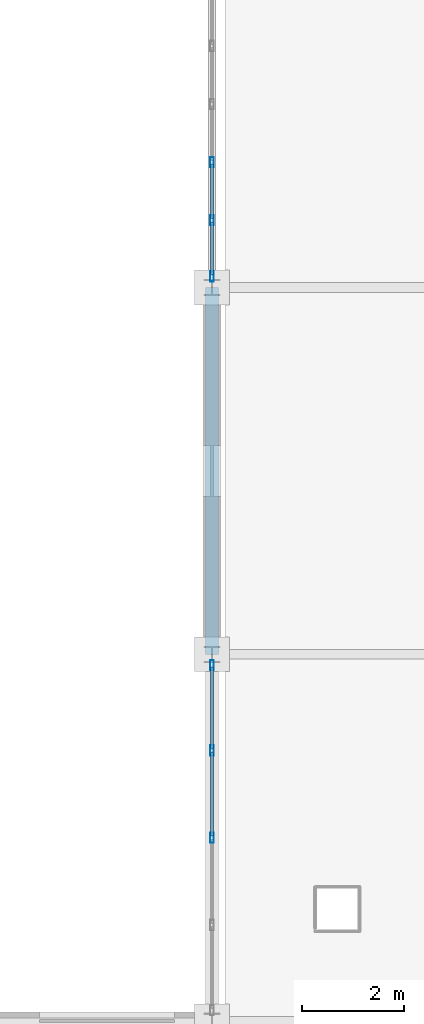
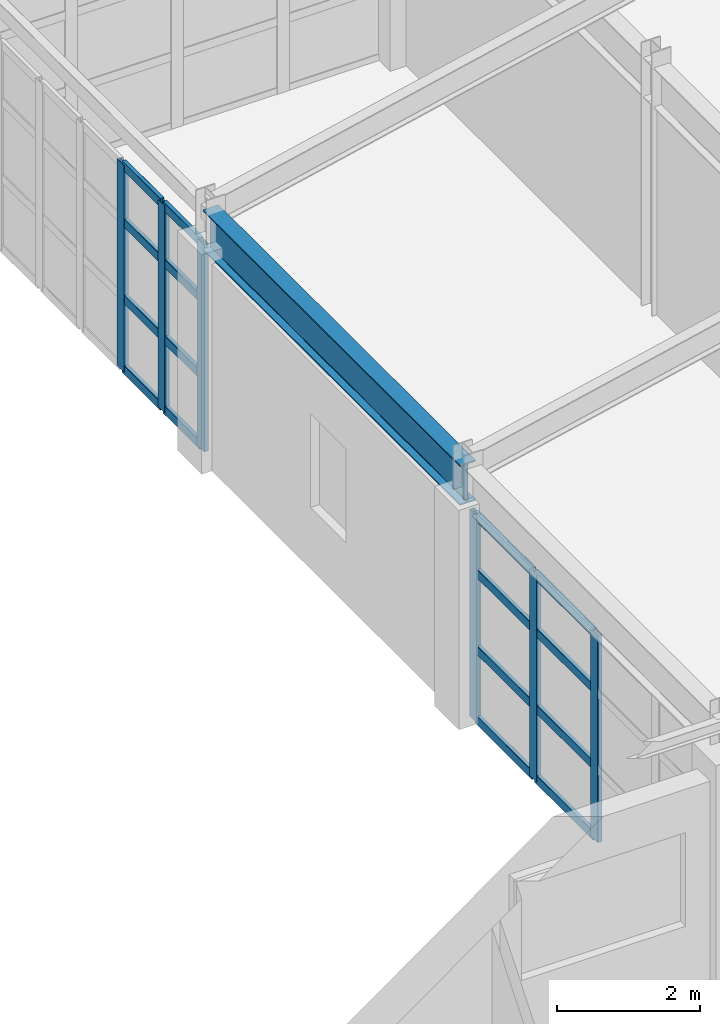
# One storey, part 81 of 137: 22 members, 1 beam, 2 elements without a shape of their own.
"""IFC4 building model written with IfcOpenShell, lengths in metres."""

import ifcopenshell
import ifcopenshell.guid

model = None  # the IFC model being written
_history = None  # IfcOwnerHistory: only IFC2X3 demands one
_inside = {}  # id of a spatial element -> (the spatial element, [elements in it])
_under = {}  # id of a project, library or spatial element -> (it, [spatial elements below it])
_declared = {}  # id of a project -> (the project, [libraries it declares])
_typed = {}  # id of a type object -> (the type object, [elements of that type])
_made_of = {}  # id of a material, layer set ... -> (it, [elements and type objects made of it])


def new_model(schema):
    """Start an empty IFC model of exactly this schema.

    Asked for "IFC4X3", IfcOpenShell would pick the latest addendum, in which some entities
    have other attributes; the version numbers below select the first issue.
    IFC2X3 requires an IfcOwnerHistory on every rooted entity: one is made here for all.
    """
    global model, _history
    if schema == "IFC4X3":
        model = ifcopenshell.file(schema_version=(4, 3, 0, 0))
    else:
        model = ifcopenshell.file(schema=schema)
    _inside.clear()
    _under.clear()
    _declared.clear()
    _typed.clear()
    _made_of.clear()
    _history = None
    if model.schema == "IFC2X3":
        org = make("IfcOrganization", Name="unknown")
        user = make(
            "IfcPersonAndOrganization",
            ThePerson=make("IfcPerson", FamilyName="unknown"),
            TheOrganization=org,
        )
        app = make(
            "IfcApplication",
            ApplicationDeveloper=org,
            Version="unknown",
            ApplicationFullName="unknown",
            ApplicationIdentifier="unknown",
        )
        _history = make(
            "IfcOwnerHistory",
            OwningUser=user,
            OwningApplication=app,
            ChangeAction="ADDED",
            CreationDate=0,
        )
    return model


def make(cls, **values):
    """One entity of the class cls with the attributes given. An attribute that is None is left unset."""
    return model.create_entity(
        cls, **{name: value for name, value in values.items() if value is not None}
    )


def rooted(cls, **values):
    """An entity with a GlobalId (a new one), such as an element, a storey or a relation."""
    return make(cls, GlobalId=ifcopenshell.guid.new(), OwnerHistory=_history, **values)


def si_unit(unit_type, name, prefix=None):
    """IfcSIUnit, for example si_unit("LENGTHUNIT", "METRE", prefix="MILLI")."""
    return make("IfcSIUnit", UnitType=unit_type, Prefix=prefix, Name=name)


def assignment(units):
    """IfcUnitAssignment: the units of a project."""
    return None if units is None else make("IfcUnitAssignment", Units=units)


def point(xyz):
    """IfcCartesianPoint."""
    return None if xyz is None else make("IfcCartesianPoint", Coordinates=xyz)


def direction(xyz):
    """IfcDirection."""
    return None if xyz is None else make("IfcDirection", DirectionRatios=xyz)


def frame(location, z_axis=None, x_axis=None):
    """IfcAxis2Placement3D, a coordinate frame: its origin and axes. An axis left out is left unset."""
    return make(
        "IfcAxis2Placement3D",
        Location=point(location),
        Axis=direction(z_axis),
        RefDirection=direction(x_axis),
    )


def frame_2d(location, x_axis=None):
    """IfcAxis2Placement2D, a coordinate frame in the plane: its origin and x axis."""
    return make(
        "IfcAxis2Placement2D", Location=point(location), RefDirection=direction(x_axis)
    )


def origin():
    """The frame at (0, 0, 0) with its axes left unset."""
    return frame((0.0, 0.0, 0.0))


def origin_2d():
    """The frame at (0, 0) in the plane with its x axis left unset."""
    return frame_2d((0.0, 0.0))


def place(relative_to, where):
    """IfcLocalPlacement: puts the frame where relative to a parent placement (None: the world)."""
    return make(
        "IfcLocalPlacement", PlacementRelTo=relative_to, RelativePlacement=where
    )


def context(
    kind, dimensions, precision=None, world=None, true_north=None, identifier=None
):
    """IfcGeometricRepresentationContext, for example the 3D "Model" context."""
    return make(
        "IfcGeometricRepresentationContext",
        ContextIdentifier=identifier,
        ContextType=kind,
        CoordinateSpaceDimension=dimensions,
        Precision=precision,
        WorldCoordinateSystem=world,
        TrueNorth=true_north,
    )


def subcontext(parent, identifier, kind, view, scale=None):
    """IfcGeometricRepresentationSubContext, for example "Body" below "Model"."""
    return make(
        "IfcGeometricRepresentationSubContext",
        ContextIdentifier=identifier,
        ContextType=kind,
        ParentContext=parent,
        TargetScale=scale,
        TargetView=view,
    )


def project(units=None, contexts=None):
    """IfcProject with its units and contexts."""
    return rooted(
        "IfcProject",
        Name="project",
        RepresentationContexts=contexts,
        UnitsInContext=assignment(units),
    )


def spatial(cls, under=None, at=None, **own):
    """A site, building, storey or space (cls), placed at a placement, below another one or the project."""
    s = rooted(cls, ObjectPlacement=at, **own)
    if under is not None:
        _under.setdefault(under.id(), (under, []))[1].append(s)
    return s


def profile(cls, at=None, kind="AREA", **sizes):
    """A parametric profile (cls). Its sizes go by their IFC names, for example OverallWidth=200.0."""
    return make(cls, ProfileType=kind, Position=at, **sizes)


def hollow_rectangle(**sizes):
    """IfcRectangleHollowProfileDef."""
    return profile("IfcRectangleHollowProfileDef", **sizes)


def i_section(**sizes):
    """IfcIShapeProfileDef."""
    return profile("IfcIShapeProfileDef", **sizes)


def extrude(swept, where, along, depth):
    """IfcExtrudedAreaSolid: the profile swept, set in the frame where, extruded along a direction by depth."""
    return make(
        "IfcExtrudedAreaSolid",
        SweptArea=swept,
        Position=where,
        ExtrudedDirection=direction(along),
        Depth=depth,
    )


def shape(context_of_items, identifier, shape_type, items):
    """IfcShapeRepresentation: the items that make up one representation, for example the "Body"."""
    return make(
        "IfcShapeRepresentation",
        ContextOfItems=context_of_items,
        RepresentationIdentifier=identifier,
        RepresentationType=shape_type,
        Items=items,
    )


def material(Name=None, Category=None):
    """IfcMaterial."""
    return make("IfcMaterial", Name=Name, Category=Category)


def layer(
    of_material, thickness, ventilated=None, Name=None, Category=None, Priority=None
):
    """IfcMaterialLayer: one layer of a wall or slab, of a material (None: an air gap)."""
    return make(
        "IfcMaterialLayer",
        Material=of_material,
        LayerThickness=thickness,
        IsVentilated=ventilated,
        Name=Name,
        Category=Category,
        Priority=Priority,
    )


def layer_set(layers, Name=None):
    """IfcMaterialLayerSet."""
    return make("IfcMaterialLayerSet", MaterialLayers=layers, LayerSetName=Name)


def material_profile(
    of_material, cross_section, Name=None, Category=None, Priority=None
):
    """IfcMaterialProfile: a cross section and its material."""
    return make(
        "IfcMaterialProfile",
        Name=Name,
        Material=of_material,
        Profile=cross_section,
        Priority=Priority,
        Category=Category,
    )


def profile_set(profiles, Name=None, composite=None):
    """IfcMaterialProfileSet."""
    return make(
        "IfcMaterialProfileSet",
        Name=Name,
        MaterialProfiles=profiles,
        CompositeProfile=composite,
    )


def made_of(thing, what):
    """Note that an element or type object is made of a material, layer set ...; save() writes the relation."""
    if what is not None:
        _made_of.setdefault(what.id(), (what, []))[1].append(thing)
    return thing


def type_object(cls, material=None, **own):
    """A type object (cls), such as IfcWallType, which elements share."""
    return made_of(rooted(cls, **own), material)


def element(
    cls,
    number,
    at=None,
    inside=None,
    cuts=None,
    type_object=None,
    material=None,
    context=None,
    identifier="Body",
    shape_type=None,
    held_by="IfcProductDefinitionShape",
    body=None,
    shapes=None,
    **own,
):
    """One element of the class cls, such as IfcWall. Its Tag is "e" and its number.

    at: its placement. inside: the storey or other place that contains it. cuts: it is an
    opening in that element (IfcRelVoidsElement). A single representation is given by context,
    identifier, shape_type and body (its items); several are given by shapes. held_by: the class
    of the entity that holds the representations. save() writes the other relations.
    """
    e = rooted(cls, Tag="e%d" % number, ObjectPlacement=at, **own)
    if body is not None:
        shapes = [shape(context, identifier, shape_type, body)]
    if shapes is not None:
        e.Representation = make(held_by, Representations=shapes)
    if inside is not None:
        _inside.setdefault(inside.id(), (inside, []))[1].append(e)
    if cuts is not None:
        rooted(
            "IfcRelVoidsElement", RelatingBuildingElement=cuts, RelatedOpeningElement=e
        )
    if type_object is not None:
        _typed.setdefault(type_object.id(), (type_object, []))[1].append(e)
    return made_of(e, material)


def aggregate(whole, parts):
    """IfcRelAggregates: a whole, such as a stair, and the parts it consists of."""
    return rooted("IfcRelAggregates", RelatingObject=whole, RelatedObjects=parts)


def save(model, path):
    """Write the relations noted so far, then the file.

    IfcRelAggregates (storeys below a building ...), IfcRelContainedInSpatialStructure (elements
    in a storey), IfcRelDefinesByType, IfcRelAssociatesMaterial and IfcRelDeclares: one each for
    every whole, place, type object, material and project.
    """
    for whole, parts in _under.values():
        aggregate(whole, parts)
    for where, things in _inside.values():
        rooted(
            "IfcRelContainedInSpatialStructure",
            RelatedElements=things,
            RelatingStructure=where,
        )
    for kind, things in _typed.values():
        rooted("IfcRelDefinesByType", RelatedObjects=things, RelatingType=kind)
    for what, things in _made_of.values():
        rooted("IfcRelAssociatesMaterial", RelatedObjects=things, RelatingMaterial=what)
    for by, libraries in _declared.values():
        rooted("IfcRelDeclares", RelatingContext=by, RelatedDefinitions=libraries)
    model.write(path)


model = new_model("IFC4")

# Units and contexts
model_context = context("Model", 3, precision=1e-05, world=origin(), true_north=direction((0.0, 1.0)))
body_context = subcontext(model_context, "Body", "Model", "MODEL_VIEW")
ifc_project = project(units=[si_unit("LENGTHUNIT", "METRE"), si_unit("AREAUNIT", "SQUARE_METRE"), si_unit("VOLUMEUNIT", "CUBIC_METRE"), si_unit("PLANEANGLEUNIT", "RADIAN"), si_unit("MASSUNIT", "GRAM", prefix="KILO")], contexts=[model_context])

# Site, building, storey
site_placement = place(None, origin())
site = spatial("IfcSite", under=ifc_project, at=site_placement, CompositionType="ELEMENT")
building_placement = place(site_placement, origin())
building = spatial("IfcBuilding", under=site, at=building_placement, Name="Kemerveld Promenade Tramway Depot", CompositionType="ELEMENT")
storey_placement = place(building_placement, frame((0.0, 0.0, 5.39990234375)))
storey = spatial("IfcBuildingStorey", under=building, at=storey_placement, Name="L01", CompositionType="ELEMENT", Elevation=5.39990234375)

# Beam
ifc_material_1 = material(Name="Steel S355", Category="steel")
ifc_material_profile_1 = material_profile(ifc_material_1, i_section(OverallWidth=0.25439453125, OverallDepth=0.6875, WebThickness=0.01318359375, FlangeThickness=0.02099609375, FilletRadius=0.01513671875, at=origin_2d()), Name="686x254x152 UB")
ifc_profile_set_1 = profile_set([ifc_material_profile_1], Name="Steel S355")
beam_type = type_object("IfcBeamType", Name="BM-G03", PredefinedType="BEAM", material=ifc_profile_set_1)
beam_placement = place(storey_placement, frame((158.39990234375, 36.0, 3.896484375), z_axis=(0.0, 1.0, 0.0), x_axis=(-1.0, 0.0, 0.0)))
element("IfcBeam", 1, at=beam_placement, inside=storey, type_object=beam_type, Name="BMY-L01-23-F-G", PredefinedType="BEAM", context=body_context, shape_type="SweptSolid", body=[
    extrude(i_section(OverallWidth=0.25439453125, OverallDepth=0.6875, WebThickness=0.01318359375, FlangeThickness=0.02099609375, FilletRadius=0.01513671875, at=origin_2d()), origin(), (0.0, 0.0, 1.0), 7.199951171875),
])

# Curtain wall, members
ifc_material_2 = material(Name="Bronze anodised aluminium and solar glass", Category="aluminium")
ifc_layer_1 = layer(ifc_material_2, 0.199951171875)
ifc_layer_set_1 = layer_set([ifc_layer_1], Name="CW-SYS-04")
curtain_wall_type_1 = type_object("IfcCurtainWallType", Name="CW-SYS-04", PredefinedType="USERDEFINED", material=ifc_layer_set_1)
curtain_wall_1_placement = place(storey_placement, origin())
curtain_wall_1 = element("IfcCurtainWall", 2, at=curtain_wall_1_placement, inside=storey, type_object=curtain_wall_type_1, Name="CW-L01-V2W-01", ObjectType="GLAZED_CURTAIN_WALL", PredefinedType="USERDEFINED")
ifc_material_3 = material(Name="Bronze anodised aluminium", Category="aluminium")
ifc_material_profile_2 = material_profile(ifc_material_3, hollow_rectangle(XDim=0.074951171875, YDim=0.199951171875, WallThickness=0.0048828125, InnerFilletRadius=0.001953125, OuterFilletRadius=0.0048828125, at=origin_2d()), Name="CW-MUL-200x75")
ifc_profile_set_2 = profile_set([ifc_material_profile_2], Name="Bronze anodised aluminium")
member_type_1 = type_object("IfcMemberType", Name="CW-MUL-B", PredefinedType="MULLION", material=ifc_profile_set_2)
member_1_placement = place(storey_placement, frame((158.39990234375, 32.39990234375, 0.0), z_axis=(0.0, 0.0, 1.0), x_axis=(-1.0, 0.0, 0.0)))
member_1 = element("IfcMember", 3, at=member_1_placement, type_object=member_type_1, Name="CW04 mullion 3", PredefinedType="MULLION", context=body_context, shape_type="SweptSolid", body=[
    extrude(hollow_rectangle(XDim=0.074951171875, YDim=0.199951171875, WallThickness=0.0048828125, InnerFilletRadius=0.001953125, OuterFilletRadius=0.0048828125, at=origin_2d()), origin(), (0.0, 0.0, 1.0), 3.53271484375),
])
member_2_placement = place(storey_placement, frame((158.39990234375, 34.111328125, 0.0), z_axis=(0.0, 0.0, 1.0), x_axis=(-1.0, 0.0, 0.0)))
member_2 = element("IfcMember", 4, at=member_2_placement, type_object=member_type_1, Name="CW04 mullion 4", PredefinedType="MULLION", context=body_context, shape_type="SweptSolid", body=[
    extrude(hollow_rectangle(XDim=0.074951171875, YDim=0.199951171875, WallThickness=0.0048828125, InnerFilletRadius=0.001953125, OuterFilletRadius=0.0048828125, at=origin_2d()), origin(), (0.0, 0.0, 1.0), 3.53271484375),
])
member_3_placement = place(storey_placement, frame((158.39990234375, 35.78515625, 0.0), z_axis=(0.0, 0.0, 1.0), x_axis=(-1.0, 0.0, 0.0)))
member_3 = element("IfcMember", 5, at=member_3_placement, type_object=member_type_1, Name="CW04 mullion 5", PredefinedType="MULLION", context=body_context, shape_type="SweptSolid", body=[
    extrude(hollow_rectangle(XDim=0.074951171875, YDim=0.199951171875, WallThickness=0.0048828125, InnerFilletRadius=0.001953125, OuterFilletRadius=0.0048828125, at=origin_2d()), origin(), (0.0, 0.0, 1.0), 3.53271484375),
])

ifc_layer_2 = layer(ifc_material_2, 0.199951171875)
ifc_layer_set_2 = layer_set([ifc_layer_2], Name="CW-SYS-06")
curtain_wall_type_2 = type_object("IfcCurtainWallType", Name="CW-SYS-06", PredefinedType="USERDEFINED", material=ifc_layer_set_2)
curtain_wall_2_placement = place(storey_placement, origin())
curtain_wall_2 = element("IfcCurtainWall", 6, at=curtain_wall_2_placement, inside=storey, type_object=curtain_wall_type_2, Name="CW-L01-V2W-03", ObjectType="GLAZED_CURTAIN_WALL", PredefinedType="USERDEFINED")
member_4_placement = place(storey_placement, frame((158.39990234375, 43.414794921875, 0.0), z_axis=(0.0, 0.0, 1.0), x_axis=(-1.0, 0.0, 0.0)))
member_4 = element("IfcMember", 7, at=member_4_placement, type_object=member_type_1, Name="CW06 mullion 1", PredefinedType="MULLION", context=body_context, shape_type="SweptSolid", body=[
    extrude(hollow_rectangle(XDim=0.074951171875, YDim=0.199951171875, WallThickness=0.0048828125, InnerFilletRadius=0.001953125, OuterFilletRadius=0.0048828125, at=origin_2d()), origin(), (0.0, 0.0, 1.0), 3.53271484375),
])
member_5_placement = place(storey_placement, frame((158.39990234375, 44.518310546875, 0.0), z_axis=(0.0, 0.0, 1.0), x_axis=(-1.0, 0.0, 0.0)))
member_5 = element("IfcMember", 8, at=member_5_placement, type_object=member_type_1, Name="CW06 mullion 2", PredefinedType="MULLION", context=body_context, shape_type="SweptSolid", body=[
    extrude(hollow_rectangle(XDim=0.074951171875, YDim=0.199951171875, WallThickness=0.0048828125, InnerFilletRadius=0.001953125, OuterFilletRadius=0.0048828125, at=origin_2d()), origin(), (0.0, 0.0, 1.0), 3.53271484375),
])
member_6_placement = place(storey_placement, frame((158.39990234375, 45.6591796875, 0.0), z_axis=(0.0, 0.0, 1.0), x_axis=(-1.0, 0.0, 0.0)))
member_6 = element("IfcMember", 9, at=member_6_placement, type_object=member_type_1, Name="CW06 mullion 3", PredefinedType="MULLION", context=body_context, shape_type="SweptSolid", body=[
    extrude(hollow_rectangle(XDim=0.074951171875, YDim=0.199951171875, WallThickness=0.0048828125, InnerFilletRadius=0.001953125, OuterFilletRadius=0.0048828125, at=origin_2d()), origin(), (0.0, 0.0, 1.0), 3.53271484375),
])

# Member
ifc_material_profile_3 = material_profile(ifc_material_3, hollow_rectangle(XDim=0.06494140625, YDim=0.14990234375, WallThickness=0.00439453125, InnerFilletRadius=0.001953125, OuterFilletRadius=0.00439453125, at=origin_2d()), Name="CW-TRN-150x65")
ifc_profile_set_3 = profile_set([ifc_material_profile_3], Name="Bronze anodised aluminium")
member_type_2 = type_object("IfcMemberType", Name="CW-TRN-B", PredefinedType="USERDEFINED", material=ifc_profile_set_3)
member_7_placement = place(storey_placement, frame((158.39990234375, 32.4375, 0.03271484375), z_axis=(0.0, 1.0, 0.0), x_axis=(-1.0, 0.0, 0.0)))
member_7 = element("IfcMember", 10, at=member_7_placement, type_object=member_type_2, Name="CW04 transom 3.1", ObjectType="TRANSOM", PredefinedType="USERDEFINED", context=body_context, shape_type="SweptSolid", body=[
    extrude(hollow_rectangle(XDim=0.06494140625, YDim=0.14990234375, WallThickness=0.00439453125, InnerFilletRadius=0.001953125, OuterFilletRadius=0.00439453125, at=origin_2d()), origin(), (0.0, 0.0, 1.0), 1.63623046875),
])

member_8_placement = place(storey_placement, frame((158.39990234375, 32.4375, 1.236083984375), z_axis=(0.0, 1.0, 0.0), x_axis=(-1.0, 0.0, 0.0)))
member_8 = element("IfcMember", 11, at=member_8_placement, type_object=member_type_2, Name="CW04 transom 3.2", ObjectType="TRANSOM", PredefinedType="USERDEFINED", context=body_context, shape_type="SweptSolid", body=[
    extrude(hollow_rectangle(XDim=0.06494140625, YDim=0.14990234375, WallThickness=0.00439453125, InnerFilletRadius=0.001953125, OuterFilletRadius=0.00439453125, at=origin_2d()), origin(), (0.0, 0.0, 1.0), 1.63623046875),
])

member_9_placement = place(storey_placement, frame((158.39990234375, 32.4375, 2.543212890625), z_axis=(0.0, 1.0, 0.0), x_axis=(-1.0, 0.0, 0.0)))
member_9 = element("IfcMember", 12, at=member_9_placement, type_object=member_type_2, Name="CW04 transom 3.3", ObjectType="TRANSOM", PredefinedType="USERDEFINED", context=body_context, shape_type="SweptSolid", body=[
    extrude(hollow_rectangle(XDim=0.06494140625, YDim=0.14990234375, WallThickness=0.00439453125, InnerFilletRadius=0.001953125, OuterFilletRadius=0.00439453125, at=origin_2d()), origin(), (0.0, 0.0, 1.0), 1.63623046875),
])

member_10_placement = place(storey_placement, frame((158.39990234375, 32.4375, 3.500244140625), z_axis=(0.0, 1.0, 0.0), x_axis=(-1.0, 0.0, 0.0)))
member_10 = element("IfcMember", 13, at=member_10_placement, type_object=member_type_2, Name="CW04 transom 3.4", ObjectType="TRANSOM", PredefinedType="USERDEFINED", context=body_context, shape_type="SweptSolid", body=[
    extrude(hollow_rectangle(XDim=0.06494140625, YDim=0.14990234375, WallThickness=0.00439453125, InnerFilletRadius=0.001953125, OuterFilletRadius=0.00439453125, at=origin_2d()), origin(), (0.0, 0.0, 1.0), 1.63623046875),
])

member_11_placement = place(storey_placement, frame((158.39990234375, 34.14892578125, 0.03271484375), z_axis=(0.0, 1.0, 0.0), x_axis=(-1.0, 0.0, 0.0)))
member_11 = element("IfcMember", 14, at=member_11_placement, type_object=member_type_2, Name="CW04 transom 4.1", ObjectType="TRANSOM", PredefinedType="USERDEFINED", context=body_context, shape_type="SweptSolid", body=[
    extrude(hollow_rectangle(XDim=0.06494140625, YDim=0.14990234375, WallThickness=0.00439453125, InnerFilletRadius=0.001953125, OuterFilletRadius=0.00439453125, at=origin_2d()), origin(), (0.0, 0.0, 1.0), 1.598876953125),
])

member_12_placement = place(storey_placement, frame((158.39990234375, 34.14892578125, 1.236083984375), z_axis=(0.0, 1.0, 0.0), x_axis=(-1.0, 0.0, 0.0)))
member_12 = element("IfcMember", 15, at=member_12_placement, type_object=member_type_2, Name="CW04 transom 4.2", ObjectType="TRANSOM", PredefinedType="USERDEFINED", context=body_context, shape_type="SweptSolid", body=[
    extrude(hollow_rectangle(XDim=0.06494140625, YDim=0.14990234375, WallThickness=0.00439453125, InnerFilletRadius=0.001953125, OuterFilletRadius=0.00439453125, at=origin_2d()), origin(), (0.0, 0.0, 1.0), 1.598876953125),
])

member_13_placement = place(storey_placement, frame((158.39990234375, 34.14892578125, 2.543212890625), z_axis=(0.0, 1.0, 0.0), x_axis=(-1.0, 0.0, 0.0)))
member_13 = element("IfcMember", 16, at=member_13_placement, type_object=member_type_2, Name="CW04 transom 4.3", ObjectType="TRANSOM", PredefinedType="USERDEFINED", context=body_context, shape_type="SweptSolid", body=[
    extrude(hollow_rectangle(XDim=0.06494140625, YDim=0.14990234375, WallThickness=0.00439453125, InnerFilletRadius=0.001953125, OuterFilletRadius=0.00439453125, at=origin_2d()), origin(), (0.0, 0.0, 1.0), 1.598876953125),
])

member_14_placement = place(storey_placement, frame((158.39990234375, 34.14892578125, 3.500244140625), z_axis=(0.0, 1.0, 0.0), x_axis=(-1.0, 0.0, 0.0)))
member_14 = element("IfcMember", 17, at=member_14_placement, type_object=member_type_2, Name="CW04 transom 4.4", ObjectType="TRANSOM", PredefinedType="USERDEFINED", context=body_context, shape_type="SweptSolid", body=[
    extrude(hollow_rectangle(XDim=0.06494140625, YDim=0.14990234375, WallThickness=0.00439453125, InnerFilletRadius=0.001953125, OuterFilletRadius=0.00439453125, at=origin_2d()), origin(), (0.0, 0.0, 1.0), 1.598876953125),
])

aggregate(curtain_wall_1, [member_1, member_2, member_3, member_7, member_8, member_9, member_10, member_11, member_12, member_13, member_14])

member_15_placement = place(storey_placement, frame((158.39990234375, 43.452392578125, 0.03271484375), z_axis=(0.0, 1.0, 0.0), x_axis=(-1.0, 0.0, 0.0)))
member_15 = element("IfcMember", 18, at=member_15_placement, type_object=member_type_2, Name="CW06 transom 1.1", ObjectType="TRANSOM", PredefinedType="USERDEFINED", context=body_context, shape_type="SweptSolid", body=[
    extrude(hollow_rectangle(XDim=0.06494140625, YDim=0.14990234375, WallThickness=0.00439453125, InnerFilletRadius=0.001953125, OuterFilletRadius=0.00439453125, at=origin_2d()), origin(), (0.0, 0.0, 1.0), 1.0283203125),
])

member_16_placement = place(storey_placement, frame((158.39990234375, 43.452392578125, 1.236083984375), z_axis=(0.0, 1.0, 0.0), x_axis=(-1.0, 0.0, 0.0)))
member_16 = element("IfcMember", 19, at=member_16_placement, type_object=member_type_2, Name="CW06 transom 1.2", ObjectType="TRANSOM", PredefinedType="USERDEFINED", context=body_context, shape_type="SweptSolid", body=[
    extrude(hollow_rectangle(XDim=0.06494140625, YDim=0.14990234375, WallThickness=0.00439453125, InnerFilletRadius=0.001953125, OuterFilletRadius=0.00439453125, at=origin_2d()), origin(), (0.0, 0.0, 1.0), 1.0283203125),
])

member_17_placement = place(storey_placement, frame((158.39990234375, 43.452392578125, 2.543212890625), z_axis=(0.0, 1.0, 0.0), x_axis=(-1.0, 0.0, 0.0)))
member_17 = element("IfcMember", 20, at=member_17_placement, type_object=member_type_2, Name="CW06 transom 1.3", ObjectType="TRANSOM", PredefinedType="USERDEFINED", context=body_context, shape_type="SweptSolid", body=[
    extrude(hollow_rectangle(XDim=0.06494140625, YDim=0.14990234375, WallThickness=0.00439453125, InnerFilletRadius=0.001953125, OuterFilletRadius=0.00439453125, at=origin_2d()), origin(), (0.0, 0.0, 1.0), 1.0283203125),
])

member_18_placement = place(storey_placement, frame((158.39990234375, 43.452392578125, 3.500244140625), z_axis=(0.0, 1.0, 0.0), x_axis=(-1.0, 0.0, 0.0)))
member_18 = element("IfcMember", 21, at=member_18_placement, type_object=member_type_2, Name="CW06 transom 1.4", ObjectType="TRANSOM", PredefinedType="USERDEFINED", context=body_context, shape_type="SweptSolid", body=[
    extrude(hollow_rectangle(XDim=0.06494140625, YDim=0.14990234375, WallThickness=0.00439453125, InnerFilletRadius=0.001953125, OuterFilletRadius=0.00439453125, at=origin_2d()), origin(), (0.0, 0.0, 1.0), 1.0283203125),
])

member_19_placement = place(storey_placement, frame((158.39990234375, 44.5556640625, 0.03271484375), z_axis=(0.0, 1.0, 0.0), x_axis=(-1.0, 0.0, 0.0)))
member_19 = element("IfcMember", 22, at=member_19_placement, type_object=member_type_2, Name="CW06 transom 2.1", ObjectType="TRANSOM", PredefinedType="USERDEFINED", context=body_context, shape_type="SweptSolid", body=[
    extrude(hollow_rectangle(XDim=0.06494140625, YDim=0.14990234375, WallThickness=0.00439453125, InnerFilletRadius=0.001953125, OuterFilletRadius=0.00439453125, at=origin_2d()), origin(), (0.0, 0.0, 1.0), 1.06591796875),
])

member_20_placement = place(storey_placement, frame((158.39990234375, 44.5556640625, 1.236083984375), z_axis=(0.0, 1.0, 0.0), x_axis=(-1.0, 0.0, 0.0)))
member_20 = element("IfcMember", 23, at=member_20_placement, type_object=member_type_2, Name="CW06 transom 2.2", ObjectType="TRANSOM", PredefinedType="USERDEFINED", context=body_context, shape_type="SweptSolid", body=[
    extrude(hollow_rectangle(XDim=0.06494140625, YDim=0.14990234375, WallThickness=0.00439453125, InnerFilletRadius=0.001953125, OuterFilletRadius=0.00439453125, at=origin_2d()), origin(), (0.0, 0.0, 1.0), 1.06591796875),
])

member_21_placement = place(storey_placement, frame((158.39990234375, 44.5556640625, 2.543212890625), z_axis=(0.0, 1.0, 0.0), x_axis=(-1.0, 0.0, 0.0)))
member_21 = element("IfcMember", 24, at=member_21_placement, type_object=member_type_2, Name="CW06 transom 2.3", ObjectType="TRANSOM", PredefinedType="USERDEFINED", context=body_context, shape_type="SweptSolid", body=[
    extrude(hollow_rectangle(XDim=0.06494140625, YDim=0.14990234375, WallThickness=0.00439453125, InnerFilletRadius=0.001953125, OuterFilletRadius=0.00439453125, at=origin_2d()), origin(), (0.0, 0.0, 1.0), 1.06591796875),
])

member_22_placement = place(storey_placement, frame((158.39990234375, 44.5556640625, 3.500244140625), z_axis=(0.0, 1.0, 0.0), x_axis=(-1.0, 0.0, 0.0)))
member_22 = element("IfcMember", 25, at=member_22_placement, type_object=member_type_2, Name="CW06 transom 2.4", ObjectType="TRANSOM", PredefinedType="USERDEFINED", context=body_context, shape_type="SweptSolid", body=[
    extrude(hollow_rectangle(XDim=0.06494140625, YDim=0.14990234375, WallThickness=0.00439453125, InnerFilletRadius=0.001953125, OuterFilletRadius=0.00439453125, at=origin_2d()), origin(), (0.0, 0.0, 1.0), 1.06591796875),
])

aggregate(curtain_wall_2, [member_4, member_5, member_6, member_15, member_16, member_17, member_18, member_19, member_20, member_21, member_22])

save(model, "model.ifc")
